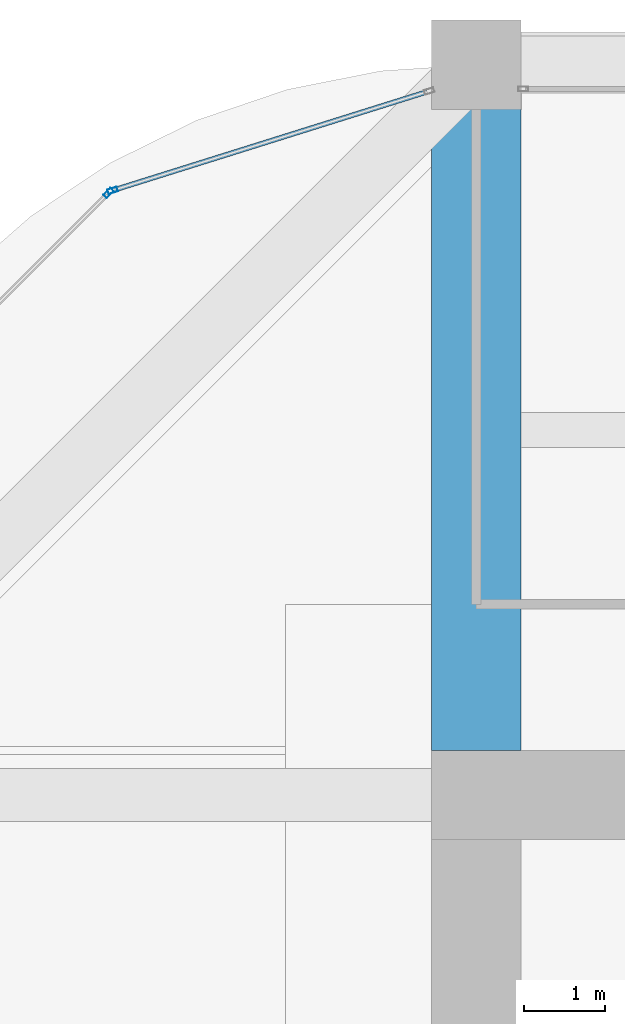
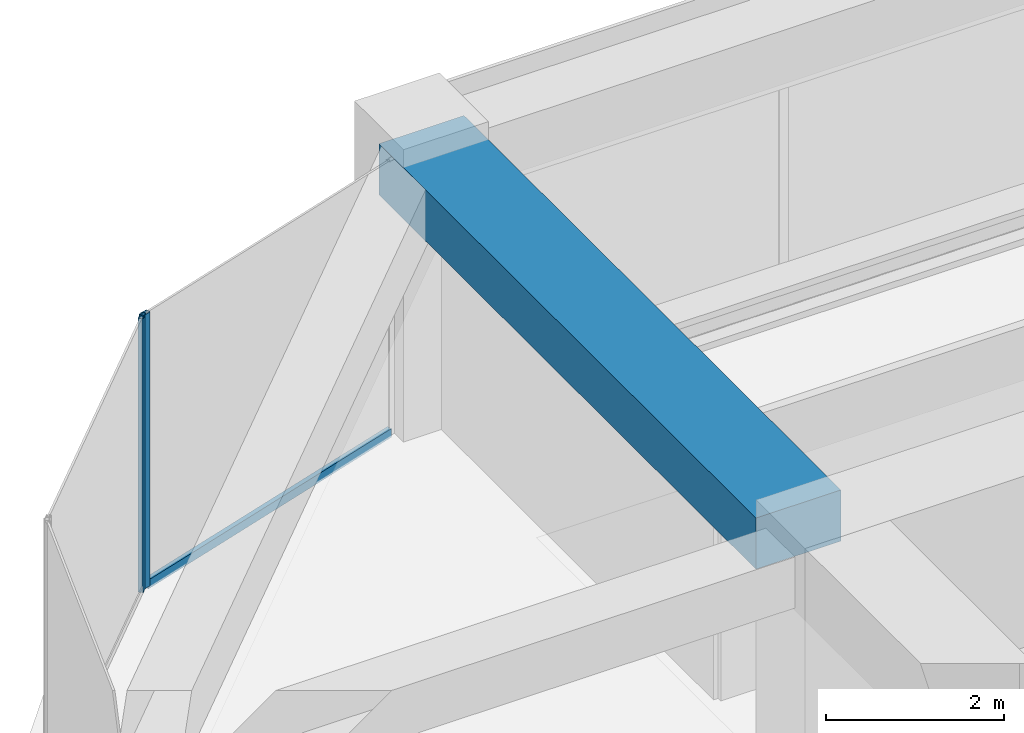
# One storey, part 30 of 45: 3 members, 1 beam, 2 elements without a shape of their own.
"""IFC4 building model written with IfcOpenShell, lengths in metres."""

from ifc_helpers import new_model, si_unit, direction, frame, origin, origin_2d, place, context, subcontext, project, spatial, rectangle, hollow_rectangle, extrude, material, material_profile, profile_set, type_object, element, aggregate, save


model = new_model("IFC4")

# Units and contexts
model_context = context("Model", 3, precision=1e-05, world=origin(), true_north=direction((0.0, 1.0)))
body_context = subcontext(model_context, "Body", "Model", "MODEL_VIEW")
ifc_project = project(units=[si_unit("LENGTHUNIT", "METRE"), si_unit("AREAUNIT", "SQUARE_METRE"), si_unit("VOLUMEUNIT", "CUBIC_METRE"), si_unit("PLANEANGLEUNIT", "RADIAN"), si_unit("MASSUNIT", "GRAM", prefix="KILO")], contexts=[model_context])

# Site, building, storey
site_placement = place(None, origin())
site = spatial("IfcSite", under=ifc_project, at=site_placement, CompositionType="ELEMENT")
building_placement = place(site_placement, origin())
building = spatial("IfcBuilding", under=site, at=building_placement, Name="Zorevar Civic Tower", CompositionType="ELEMENT")
storey_placement = place(building_placement, frame((0.0, 0.0, 279.39990234375)))
storey = spatial("IfcBuildingStorey", under=building, at=storey_placement, Name="L68", CompositionType="ELEMENT", Elevation=279.39990234375)

# Beam
ifc_material_1 = material(Name="Concrete C50/60", Category="concrete")
ifc_material_profile_1 = material_profile(ifc_material_1, rectangle(XDim=1.10009765625, YDim=0.699951171875, at=origin_2d()), Name="RC 1100x700")
ifc_profile_set_1 = profile_set([ifc_material_profile_1], Name="Concrete C50/60")
beam_type = type_object("IfcBeamType", Name="Beam RC 1100x700", PredefinedType="BEAM", material=ifc_profile_set_1)
beam_placement = place(storey_placement, frame((18.0, 36.550048828125, 3.400146484375), z_axis=(0.0, 1.0, 0.0), x_axis=(-1.0, 0.0, 0.0)))
element("IfcBeam", 1, at=beam_placement, inside=storey, type_object=beam_type, Name="Girder L69", PredefinedType="BEAM", context=body_context, shape_type="SweptSolid", body=[
    extrude(rectangle(XDim=1.10009765625, YDim=0.699951171875, at=origin_2d()), origin(), (0.0, 0.0, 1.0), 8.449951171875),
])

# Curtain wall, member
ifc_material_2 = material(Name="Dark grey solar-control glass in black aluminium frame", Category="aluminium")
curtain_wall_type = type_object("IfcCurtainWallType", Name="Curtain wall CW5 top zone", PredefinedType="NOTDEFINED", material=ifc_material_2)
curtain_wall_1_placement = place(storey_placement, origin())
curtain_wall_1 = element("IfcCurtainWall", 2, at=curtain_wall_1_placement, inside=storey, type_object=curtain_wall_type, Name="CW5 L68", PredefinedType="NOTDEFINED")
ifc_material_3 = material(Name="Aluminium, black anodised", Category="aluminium")
ifc_material_profile_2 = material_profile(ifc_material_3, hollow_rectangle(XDim=0.06005859375, YDim=0.1201171875, WallThickness=0.0029296875, at=origin_2d()), Name="AL 120x60x3")
ifc_profile_set_2 = profile_set([ifc_material_profile_2], Name="Aluminium, black anodised")
member_type_1 = type_object("IfcMemberType", Name="CW5 mullion AL 120x60x3", PredefinedType="MULLION", material=ifc_profile_set_2)
member_1_placement = place(storey_placement, frame((13.520751953125, 43.449951171875, 0.0), z_axis=(0.0, 0.0, 1.0), x_axis=(0.299317920238, -0.954153437674, 0.0)))
member_1 = element("IfcMember", 3, at=member_1_placement, type_object=member_type_1, Name="CW5 mullion 2", PredefinedType="MULLION", context=body_context, shape_type="SweptSolid", body=[
    extrude(hollow_rectangle(XDim=0.06005859375, YDim=0.1201171875, WallThickness=0.0029296875, at=origin_2d()), origin(), (0.0, 0.0, 1.0), 3.75),
])

curtain_wall_2_placement = place(storey_placement, origin())
curtain_wall_2 = element("IfcCurtainWall", 4, at=curtain_wall_2_placement, inside=storey, type_object=curtain_wall_type, Name="CW5 L68", PredefinedType="NOTDEFINED")
member_2_placement = place(storey_placement, frame((13.470947265625, 43.419677734375, 0.0), z_axis=(0.0, 0.0, 1.0), x_axis=(0.707106781187, -0.707106781187, 0.0)))
member_2 = element("IfcMember", 5, at=member_2_placement, type_object=member_type_1, Name="CW5 mullion 1", PredefinedType="MULLION", context=body_context, shape_type="SweptSolid", body=[
    extrude(hollow_rectangle(XDim=0.06005859375, YDim=0.1201171875, WallThickness=0.0029296875, at=origin_2d()), origin(), (0.0, 0.0, 1.0), 3.75),
])
aggregate(curtain_wall_2, [member_2])

# Member
ifc_material_4 = material(Name="Aluminium, black anodised", Category="aluminium")
ifc_material_profile_3 = material_profile(ifc_material_4, hollow_rectangle(XDim=0.06005859375, YDim=0.1201171875, WallThickness=0.0029296875, at=origin_2d()), Name="AL 120x60x3")
ifc_profile_set_3 = profile_set([ifc_material_profile_3], Name="Aluminium, black anodised")
member_type_2 = type_object("IfcMemberType", Name="CW5 transom AL 120x60x3", PredefinedType="USERDEFINED", material=ifc_profile_set_3)
member_3_placement = place(storey_placement, frame((17.392822265625, 44.66455078125, 0.030029296875), z_axis=(-0.954163457351, -0.299285978047, 0.0), x_axis=(0.299285978047, -0.954163457351, 0.0)))
member_3 = element("IfcMember", 6, at=member_3_placement, type_object=member_type_2, Name="CW5 sill transom", ObjectType="TRANSOM", PredefinedType="USERDEFINED", context=body_context, shape_type="SweptSolid", body=[
    extrude(hollow_rectangle(XDim=0.06005859375, YDim=0.1201171875, WallThickness=0.0029296875, at=origin_2d()), origin(), (0.0, 0.0, 1.0), 4.028076171875),
])

aggregate(curtain_wall_1, [member_1, member_3])

save(model, "model.ifc")
